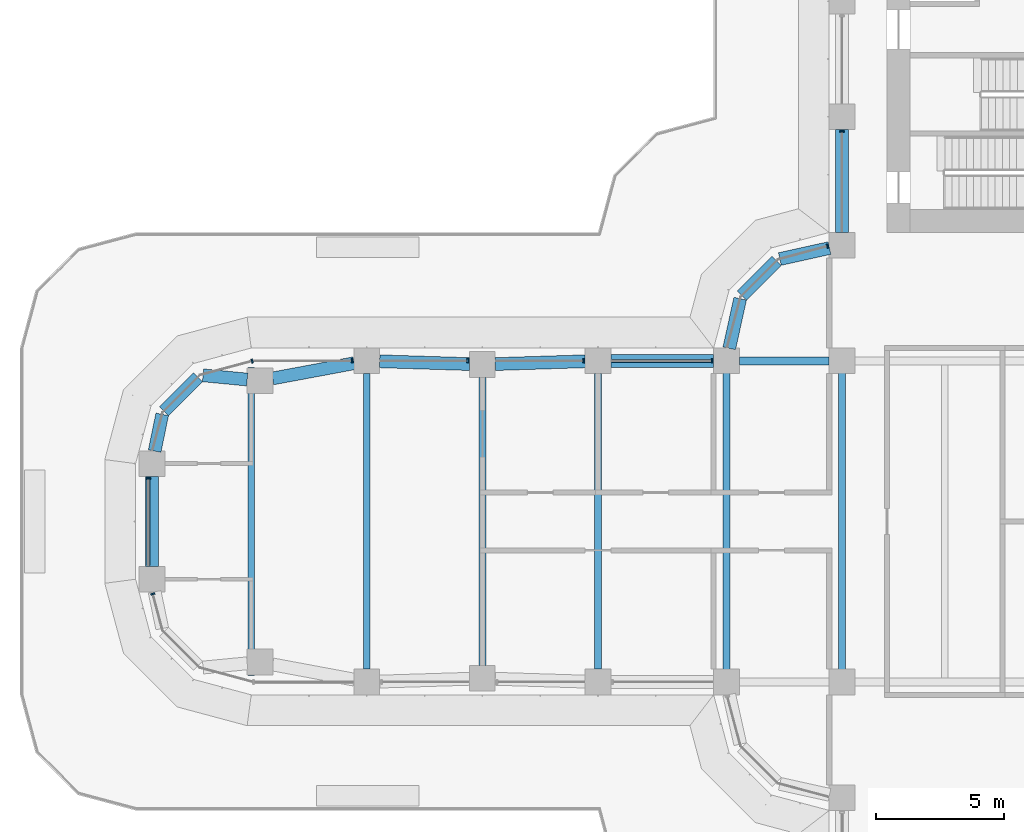
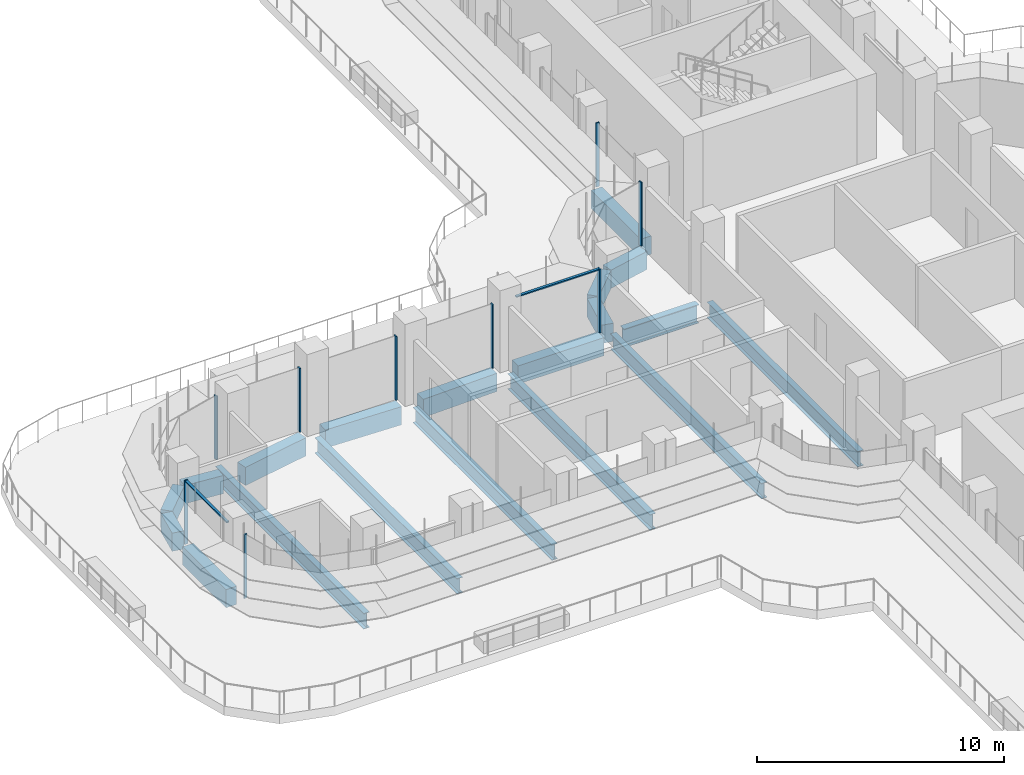
# One storey, part 6 of 26: 19 beams, 11 members, 6 elements without a shape of their own.
"""IFC4 building model written with IfcOpenShell, lengths in metres."""

from ifc_helpers import new_model, si_unit, direction, frame, origin, origin_2d, place, context, subcontext, project, spatial, polyline, rectangle, i_section, outline, extrude, source, transform, mapped, material, material_profile, profile_set, type_object, element, aggregate, save


model = new_model("IFC4")

# Units and contexts
model_context = context("Model", 3, precision=1e-05, world=origin(), true_north=direction((0.0, 1.0)))
body_context = subcontext(model_context, "Body", "Model", "MODEL_VIEW")
ifc_project = project(units=[si_unit("LENGTHUNIT", "METRE"), si_unit("AREAUNIT", "SQUARE_METRE"), si_unit("VOLUMEUNIT", "CUBIC_METRE"), si_unit("PLANEANGLEUNIT", "RADIAN"), si_unit("MASSUNIT", "GRAM", prefix="KILO")], contexts=[model_context])

# Site, building, storey
site_placement = place(None, origin())
site = spatial("IfcSite", under=ifc_project, at=site_placement, CompositionType="ELEMENT")
building_placement = place(site_placement, origin())
building = spatial("IfcBuilding", under=site, at=building_placement, Name="Zarbagh Exchange Tower", CompositionType="ELEMENT")
storey_placement = place(building_placement, frame((0.0, 0.0, 27.0)))
storey = spatial("IfcBuildingStorey", under=building, at=storey_placement, Name="L05", CompositionType="ELEMENT", Elevation=27.0)

# Beams
ifc_material_1 = material(Name="Steel ASTM A992 Gr 50", Category="steel")
ifc_material_profile_1 = material_profile(ifc_material_1, i_section(OverallWidth=0.2666015625, OverallDepth=0.76708984375, WebThickness=0.014892578125, FlangeThickness=0.023681640625, at=origin_2d()), Name="W30X124")
ifc_profile_set_1 = profile_set([ifc_material_profile_1], Name="Steel ASTM A992 Gr 50")
beam_type_1 = type_object("IfcBeamType", Name="Floor beam W30X124", PredefinedType="BEAM", material=ifc_profile_set_1)
for number, where, z_axis, x_axis, name in (
    (1, (-10.75, -6.09765625, -0.533447265625), (0.0, 1.0, 0.0), (-1.0, 0.0, 0.0), "Steel floor beam"),
    (2, (-6.25, -6.09765625, -0.533447265625), (0.0, 1.0, 0.0), (-1.0, 0.0, 0.0), "Steel floor beam"),
):
    element("IfcBeam", number, at=place(storey_placement, frame(where, z_axis=z_axis, x_axis=x_axis)), inside=storey, type_object=beam_type_1, Name=name, PredefinedType="BEAM", context=body_context, shape_type="SweptSolid", body=[
        extrude(i_section(OverallWidth=0.2666015625, OverallDepth=0.76708984375, WebThickness=0.014892578125, FlangeThickness=0.023681640625, at=origin_2d()), origin(), (0.0, 0.0, 1.0), 12.1953125),
    ])
beam_1_placement = place(storey_placement, frame((-15.75, -5.75, -0.533447265625), z_axis=(0.0, 1.0, 0.0), x_axis=(-1.0, 0.0, 0.0)))
element("IfcBeam", 3, at=beam_1_placement, inside=storey, type_object=beam_type_1, Name="Steel floor beam", PredefinedType="BEAM", context=body_context, shape_type="SweptSolid", body=[
    extrude(i_section(OverallWidth=0.2666015625, OverallDepth=0.76708984375, WebThickness=0.014892578125, FlangeThickness=0.023681640625, at=origin_2d()), origin(), (0.0, 0.0, 1.0), 11.5),
])
beam_2_placement = place(storey_placement, frame((-20.25, -5.610107421875, -0.533447265625), z_axis=(0.0, 1.0, 0.0), x_axis=(-1.0, 0.0, 0.0)))
element("IfcBeam", 4, at=beam_2_placement, inside=storey, type_object=beam_type_1, Name="Steel floor beam", PredefinedType="BEAM", context=body_context, shape_type="SweptSolid", body=[
    extrude(i_section(OverallWidth=0.2666015625, OverallDepth=0.76708984375, WebThickness=0.014892578125, FlangeThickness=0.023681640625, at=origin_2d()), origin(), (0.0, 0.0, 1.0), 11.22021484375),
])
beam_3_placement = place(storey_placement, frame((-24.75, -5.75, -0.533447265625), z_axis=(0.0, 1.0, 0.0), x_axis=(-1.0, 0.0, 0.0)))
element("IfcBeam", 5, at=beam_3_placement, inside=storey, type_object=beam_type_1, Name="Steel floor beam", PredefinedType="BEAM", context=body_context, shape_type="SweptSolid", body=[
    extrude(i_section(OverallWidth=0.2666015625, OverallDepth=0.76708984375, WebThickness=0.014892578125, FlangeThickness=0.023681640625, at=origin_2d()), origin(), (0.0, 0.0, 1.0), 11.5),
])
beam_4_placement = place(storey_placement, frame((-29.25, -6.0, -0.533447265625), z_axis=(0.0, 1.0, 0.0), x_axis=(-1.0, 0.0, 0.0)))
element("IfcBeam", 6, at=beam_4_placement, inside=storey, type_object=beam_type_1, Name="Steel floor beam", PredefinedType="BEAM", context=body_context, shape_type="SweptSolid", body=[
    extrude(i_section(OverallWidth=0.2666015625, OverallDepth=0.76708984375, WebThickness=0.014892578125, FlangeThickness=0.023681640625, at=origin_2d()), origin(), (0.0, 0.0, 1.0), 12.0),
])
ifc_material_profile_2 = material_profile(ifc_material_1, i_section(OverallWidth=0.3046875, OverallDepth=0.91943359375, WebThickness=0.017333984375, FlangeThickness=0.02783203125, at=origin_2d()), Name="W36X170")
ifc_profile_set_2 = profile_set([ifc_material_profile_2], Name="Steel ASTM A992 Gr 50")
beam_type_2 = type_object("IfcBeamType", Name="Floor girder W36X170", PredefinedType="BEAM", material=ifc_profile_set_2)
beam_5_placement = place(storey_placement, frame((-10.25, 6.25, -0.609619140625), z_axis=(1.0, 0.0, 0.0), x_axis=(0.0, 1.0, 0.0)))
element("IfcBeam", 7, at=beam_5_placement, inside=storey, type_object=beam_type_2, Name="Steel girder", PredefinedType="BEAM", context=body_context, shape_type="SweptSolid", body=[
    extrude(i_section(OverallWidth=0.3046875, OverallDepth=0.91943359375, WebThickness=0.017333984375, FlangeThickness=0.02783203125, at=origin_2d()), origin(), (0.0, 0.0, 1.0), 3.5),
])
ifc_material_2 = material(Name="Concrete C60/75", Category="concrete")
ifc_material_profile_3 = material_profile(ifc_material_2, rectangle(XDim=0.5, YDim=0.89990234375, at=origin_2d()), Name="RC spandrel beam 500 x 900 C60/75")
ifc_profile_set_3 = profile_set([ifc_material_profile_3], Name="Concrete C60/75")
beam_type_3 = type_object("IfcBeamType", Name="RC spandrel beam 500 x 900 C60/75", PredefinedType="SPANDREL", material=ifc_profile_set_3)
beam_6_placement = place(storey_placement, frame((-33.110107421875, -1.75, -0.60009765625), z_axis=(0.0, 1.0, 0.0), x_axis=(-1.0, 0.0, 0.0)))
element("IfcBeam", 8, at=beam_6_placement, inside=storey, type_object=beam_type_3, Name="RC spandrel beam", PredefinedType="SPANDREL", context=body_context, shape_type="SweptSolid", body=[
    extrude(rectangle(XDim=0.5, YDim=0.89990234375, at=origin_2d()), origin(), (0.0, 0.0, 1.0), 3.5),
])
beam_7_placement = place(storey_placement, frame((-33.0087890625, 2.73974609375, -0.60009765625), z_axis=(0.202068589164, 0.9793713725, 0.0), x_axis=(-0.9793713725, 0.202068589164, 0.0)))
element("IfcBeam", 9, at=beam_7_placement, inside=storey, type_object=beam_type_3, Name="RC spandrel beam", PredefinedType="SPANDREL", context=body_context, shape_type="SweptSolid", body=[
    extrude(rectangle(XDim=0.5, YDim=0.89990234375, at=origin_2d()), origin(), (0.0, 0.0, 1.0), 1.458251953125),
])
beam_8_placement = place(storey_placement, frame((-32.64599609375, 4.294189453125, -0.60009765625), z_axis=(0.707172099812, 0.707041456527, 0.0), x_axis=(-0.707041456527, 0.707172099812, 0.0)))
element("IfcBeam", 10, at=beam_8_placement, inside=storey, type_object=beam_type_3, Name="RC spandrel beam", PredefinedType="SPANDREL", context=body_context, shape_type="SweptSolid", body=[
    extrude(rectangle(XDim=0.5, YDim=0.89990234375, at=origin_2d()), origin(), (0.0, 0.0, 1.0), 1.86865234375),
])
beam_9_placement = place(storey_placement, frame((-31.123779296875, 5.6875, -0.60009765625), z_axis=(0.995431032456, -0.095483294999, 0.0), x_axis=(0.095483294999, 0.995431032456, 0.0)))
element("IfcBeam", 11, at=beam_9_placement, inside=storey, type_object=beam_type_3, Name="RC spandrel beam", PredefinedType="SPANDREL", context=body_context, shape_type="SweptSolid", body=[
    extrude(rectangle(XDim=0.5, YDim=0.89990234375, at=origin_2d()), origin(), (0.0, 0.0, 1.0), 1.725830078125),
])
beam_10_placement = place(storey_placement, frame((-28.41650390625, 5.566650390625, -0.60009765625), z_axis=(0.983069300761, 0.183234139565, 0.0), x_axis=(-0.183234139565, 0.983069300761, 0.0)))
element("IfcBeam", 12, at=beam_10_placement, inside=storey, type_object=beam_type_3, Name="RC spandrel beam", PredefinedType="SPANDREL", context=body_context, shape_type="SweptSolid", body=[
    extrude(rectangle(XDim=0.5, YDim=0.89990234375, at=origin_2d()), origin(), (0.0, 0.0, 1.0), 3.229736328125),
])
for number, where, z_axis, x_axis, name in (
    (13, (-24.250244140625, 6.234619140625, -0.60009765625), (0.999514385708, -0.031160756759, 0.0), (0.031160756759, 0.999514385708, 0.0), "RC spandrel beam"),
    (14, (-19.750244140625, 6.12548828125, -0.60009765625), (0.999514385708, 0.031160756759, 0.0), (-0.031160756759, 0.999514385708, 0.0), "RC spandrel beam"),
):
    element("IfcBeam", number, at=place(storey_placement, frame(where, z_axis=z_axis, x_axis=x_axis)), inside=storey, type_object=beam_type_3, Name=name, PredefinedType="SPANDREL", context=body_context, shape_type="SweptSolid", body=[
        extrude(rectangle(XDim=0.5, YDim=0.89990234375, at=origin_2d()), origin(), (0.0, 0.0, 1.0), 3.502197265625),
    ])
beam_11_placement = place(storey_placement, frame((-15.25, 6.25, -0.60009765625), z_axis=(1.0, 0.0, 0.0), x_axis=(0.0, 1.0, 0.0)))
element("IfcBeam", 15, at=beam_11_placement, inside=storey, type_object=beam_type_3, Name="RC spandrel beam", PredefinedType="SPANDREL", context=body_context, shape_type="SweptSolid", body=[
    extrude(rectangle(XDim=0.5, YDim=0.89990234375, at=origin_2d()), origin(), (0.0, 0.0, 1.0), 4.0),
])
beam_12_placement = place(storey_placement, frame((-10.64208984375, 6.73828125, -0.60009765625), z_axis=(0.216081063242, 0.976375426825, 0.0), x_axis=(-0.976375426825, 0.216081063242, 0.0)))
element("IfcBeam", 16, at=beam_12_placement, inside=storey, type_object=beam_type_3, Name="RC spandrel beam", PredefinedType="SPANDREL", context=body_context, shape_type="SweptSolid", body=[
    extrude(rectangle(XDim=0.5, YDim=0.89990234375, at=origin_2d()), origin(), (0.0, 0.0, 1.0), 1.978271484375),
])
beam_13_placement = place(storey_placement, frame((-10.147216796875, 8.792724609375, -0.60009765625), z_axis=(0.707106781187, 0.707106781187, 0.0), x_axis=(-0.707106781187, 0.707106781187, 0.0)))
element("IfcBeam", 17, at=beam_13_placement, inside=storey, type_object=beam_type_3, Name="RC spandrel beam", PredefinedType="SPANDREL", context=body_context, shape_type="SweptSolid", body=[
    extrude(rectangle(XDim=0.5, YDim=0.89990234375, at=origin_2d()), origin(), (0.0, 0.0, 1.0), 1.91552734375),
])
beam_14_placement = place(storey_placement, frame((-8.669921875, 10.214599609375, -0.60009765625), z_axis=(0.976375426825, 0.216081063242, 0.0), x_axis=(-0.216081063242, 0.976375426825, 0.0)))
element("IfcBeam", 18, at=beam_14_placement, inside=storey, type_object=beam_type_3, Name="RC spandrel beam", PredefinedType="SPANDREL", context=body_context, shape_type="SweptSolid", body=[
    extrude(rectangle(XDim=0.5, YDim=0.89990234375, at=origin_2d()), origin(), (0.0, 0.0, 1.0), 1.978271484375),
])
beam_15_placement = place(storey_placement, frame((-6.25, 11.25, -0.60009765625), z_axis=(0.0, 1.0, 0.0), x_axis=(-1.0, 0.0, 0.0)))
element("IfcBeam", 19, at=beam_15_placement, inside=storey, type_object=beam_type_3, Name="RC spandrel beam", PredefinedType="SPANDREL", context=body_context, shape_type="SweptSolid", body=[
    extrude(rectangle(XDim=0.5, YDim=0.89990234375, at=origin_2d()), origin(), (0.0, 0.0, 1.0), 4.0),
])

# Curtain wall, member
ifc_material_3 = material(Name="Anodised aluminium frame and glazing", Category="aluminium")
curtain_wall_type = type_object("IfcCurtainWallType", Name="CWA Ribbon glazing, lower zones", PredefinedType="NOTDEFINED", material=ifc_material_3)
curtain_wall_1_placement = place(storey_placement, origin())
curtain_wall_1 = element("IfcCurtainWall", 20, at=curtain_wall_1_placement, inside=storey, type_object=curtain_wall_type, Name="CWA28 curtain wall", PredefinedType="NOTDEFINED")
ifc_material_4 = material(Name="Anodised aluminium frame", Category="aluminium")
member_type_1 = type_object("IfcMemberType", Name="MUA Mullion, anodised aluminium frame", PredefinedType="MULLION", material=ifc_material_4)
shared_shape_1 = source(origin(), body_context, "Body", "SweptSolid", [
    extrude(outline(polyline([(0.0, -0.080078125), (0.06005859375, -0.080078125), (0.06005859375, 0.080078125), (0.0, 0.080078125), (0.0, -0.080078125)])), origin(), (0.0, 0.0, 1.0), 3.14990234375),
])
placement = place(storey_placement, origin())
member_1 = element("IfcMember", 21, at=placement, type_object=member_type_1, Name="CWA28 mullion 5.1", PredefinedType="MULLION", context=body_context, shape_type="MappedRepresentation", body=[
    mapped(shared_shape_1, transform((-6.25, 15.2099609375, 0.0), x_axis=(0.0, -1.0, 0.0), y_axis=(1.0, 0.0, 0.0), z_axis=(0.0, 0.0, 1.0))),
])
aggregate(curtain_wall_1, [member_1])

curtain_wall_2_placement = place(storey_placement, origin())
curtain_wall_2 = element("IfcCurtainWall", 22, at=curtain_wall_2_placement, inside=storey, type_object=curtain_wall_type, Name="CWA29 curtain wall", PredefinedType="NOTDEFINED")
member_2 = element("IfcMember", 23, at=placement, type_object=member_type_1, Name="CWA29 mullion 1.1", PredefinedType="MULLION", context=body_context, shape_type="MappedRepresentation", body=[
    mapped(shared_shape_1, transform((-6.7900390625, 10.7216796875, 0.0), x_axis=(-0.965924289636, -0.258824779902, 0.0), y_axis=(0.258824779902, -0.965924289636, 0.0), z_axis=(0.0, 0.0, 1.0))),
])
aggregate(curtain_wall_2, [member_2])

# Curtain wall, members
curtain_wall_3_placement = place(storey_placement, origin())
curtain_wall_3 = element("IfcCurtainWall", 24, at=curtain_wall_3_placement, inside=storey, type_object=curtain_wall_type, Name="CWA32 curtain wall", PredefinedType="NOTDEFINED")
member_3 = element("IfcMember", 25, at=placement, type_object=member_type_1, Name="CWA32 mullion 1.1", PredefinedType="MULLION", context=body_context, shape_type="MappedRepresentation", body=[
    mapped(shared_shape_1, transform((-11.2900390625, 6.25, 0.0), x_axis=(-1.0, 0.0, 0.0), y_axis=(0.0, -1.0, 0.0), z_axis=(0.0, 0.0, 1.0))),
])
member_4 = element("IfcMember", 26, at=placement, type_object=member_type_1, Name="CWA32 mullion 2.1", PredefinedType="MULLION", context=body_context, shape_type="MappedRepresentation", body=[
    mapped(shared_shape_1, transform((-16.2900390625, 6.25, 0.0), x_axis=(-1.0, 0.0, 0.0), y_axis=(0.0, -1.0, 0.0), z_axis=(0.0, 0.0, 1.0))),
])
member_5 = element("IfcMember", 27, at=placement, type_object=member_type_1, Name="CWA32 mullion 3.1", PredefinedType="MULLION", context=body_context, shape_type="MappedRepresentation", body=[
    mapped(shared_shape_1, transform((-20.7900390625, 6.25, 0.0), x_axis=(-1.0, 0.0, 0.0), y_axis=(0.0, -1.0, 0.0), z_axis=(0.0, 0.0, 1.0))),
])
member_6 = element("IfcMember", 28, at=placement, type_object=member_type_1, Name="CWA32 mullion 4.1", PredefinedType="MULLION", context=body_context, shape_type="MappedRepresentation", body=[
    mapped(shared_shape_1, transform((-25.2900390625, 6.25, 0.0), x_axis=(-1.0, 0.0, 0.0), y_axis=(0.0, -1.0, 0.0), z_axis=(0.0, 0.0, 1.0))),
])

# Curtain wall, member
curtain_wall_4_placement = place(storey_placement, origin())
curtain_wall_4 = element("IfcCurtainWall", 29, at=curtain_wall_4_placement, inside=storey, type_object=curtain_wall_type, Name="CWA33 curtain wall", PredefinedType="NOTDEFINED")
member_7 = element("IfcMember", 30, at=placement, type_object=member_type_1, Name="CWA33 mullion 1.1", PredefinedType="MULLION", context=body_context, shape_type="MappedRepresentation", body=[
    mapped(shared_shape_1, transform((-29.18408203125, 6.25, 0.0), x_axis=(-0.965924289636, -0.258824779902, 0.0), y_axis=(0.258824779902, -0.965924289636, 0.0), z_axis=(0.0, 0.0, 1.0))),
])
aggregate(curtain_wall_4, [member_7])

curtain_wall_5_placement = place(storey_placement, origin())
curtain_wall_5 = element("IfcCurtainWall", 31, at=curtain_wall_5_placement, inside=storey, type_object=curtain_wall_type, Name="CWA36 curtain wall", PredefinedType="NOTDEFINED")
member_8 = element("IfcMember", 32, at=placement, type_object=member_type_1, Name="CWA36 mullion 1.1", PredefinedType="MULLION", context=body_context, shape_type="MappedRepresentation", body=[
    mapped(shared_shape_1, transform((-33.25, 1.7099609375, 0.0), x_axis=(0.0, -1.0, 0.0), y_axis=(1.0, 0.0, 0.0), z_axis=(0.0, 0.0, 1.0))),
])

curtain_wall_6_placement = place(storey_placement, origin())
curtain_wall_6 = element("IfcCurtainWall", 33, at=curtain_wall_6_placement, inside=storey, type_object=curtain_wall_type, Name="CWA37 curtain wall", PredefinedType="NOTDEFINED")
member_9 = element("IfcMember", 34, at=placement, type_object=member_type_1, Name="CWA37 mullion 1.1", PredefinedType="MULLION", context=body_context, shape_type="MappedRepresentation", body=[
    mapped(shared_shape_1, transform((-33.087646484375, -2.7900390625, 0.0), x_axis=(0.258824779902, -0.965924289636, 0.0), y_axis=(0.965924289636, 0.258824779902, 0.0), z_axis=(0.0, 0.0, 1.0))),
])
aggregate(curtain_wall_6, [member_9])

# Member
member_type_2 = type_object("IfcMemberType", Name="TRA Transom, anodised aluminium frame", PredefinedType="USERDEFINED", material=ifc_material_4)
shared_shape_2 = source(origin(), body_context, "Body", "SweptSolid", [
    extrude(outline(polyline([(-0.06005859375, -0.06005859375), (0.0, -0.06005859375), (0.0, 0.06005859375), (-0.06005859375, 0.06005859375), (-0.06005859375, -0.06005859375)])), origin(), (0.0, 0.0, 1.0), 3.860107421875),
])
member_10 = element("IfcMember", 35, at=placement, type_object=member_type_2, Name="CWA32 transom 1.1", ObjectType="TRANSOM", PredefinedType="USERDEFINED", context=body_context, shape_type="MappedRepresentation", body=[
    mapped(shared_shape_2, transform((-11.35009765625, 6.25, 3.14990234375), x_axis=(0.0, 0.0, 1.0), y_axis=(0.0, 1.0, 0.0), z_axis=(-1.0, 0.0, 0.0))),
])

aggregate(curtain_wall_3, [member_3, member_10, member_4, member_5, member_6])

shared_shape_3 = source(origin(), body_context, "Body", "SweptSolid", [
    extrude(outline(polyline([(-0.06005859375, -0.06005859375), (0.0, -0.06005859375), (0.0, 0.06005859375), (-0.06005859375, 0.06005859375), (-0.06005859375, -0.06005859375)])), origin(), (0.0, 0.0, 1.0), 3.360107421875),
])
member_11 = element("IfcMember", 36, at=placement, type_object=member_type_2, Name="CWA36 transom 1.1", ObjectType="TRANSOM", PredefinedType="USERDEFINED", context=body_context, shape_type="MappedRepresentation", body=[
    mapped(shared_shape_3, transform((-33.25, 1.64990234375, 3.14990234375), x_axis=(0.0, 0.0, 1.0), y_axis=(-1.0, 0.0, 0.0), z_axis=(0.0, -1.0, 0.0))),
])

aggregate(curtain_wall_5, [member_8, member_11])

save(model, "model.ifc")
